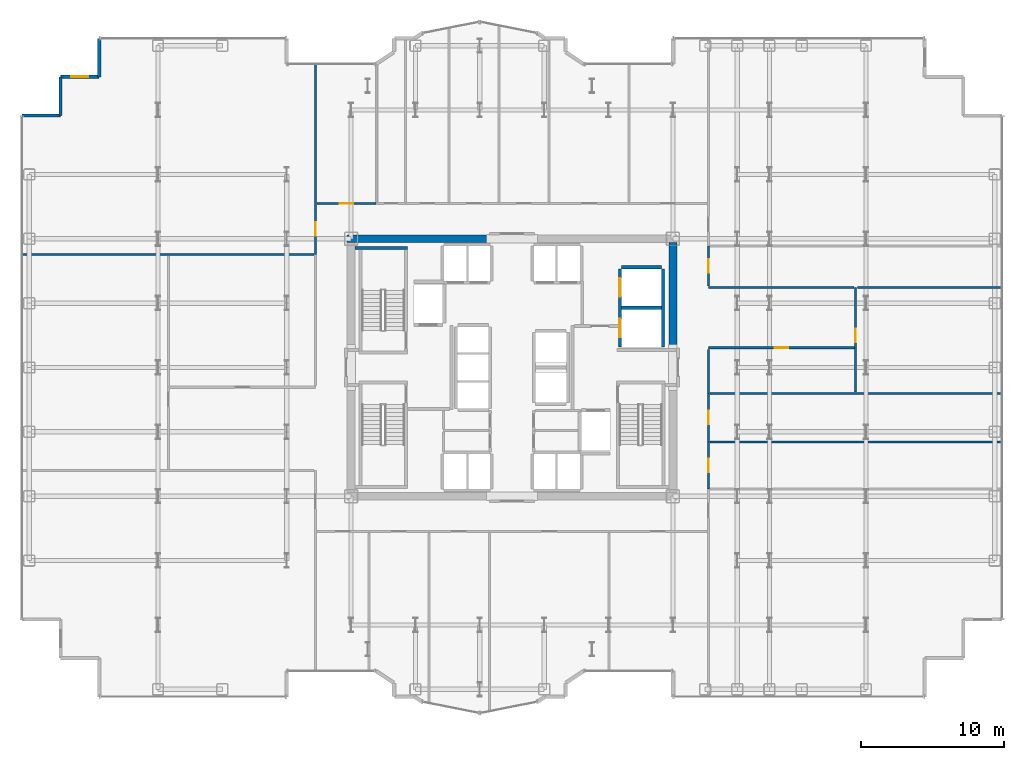
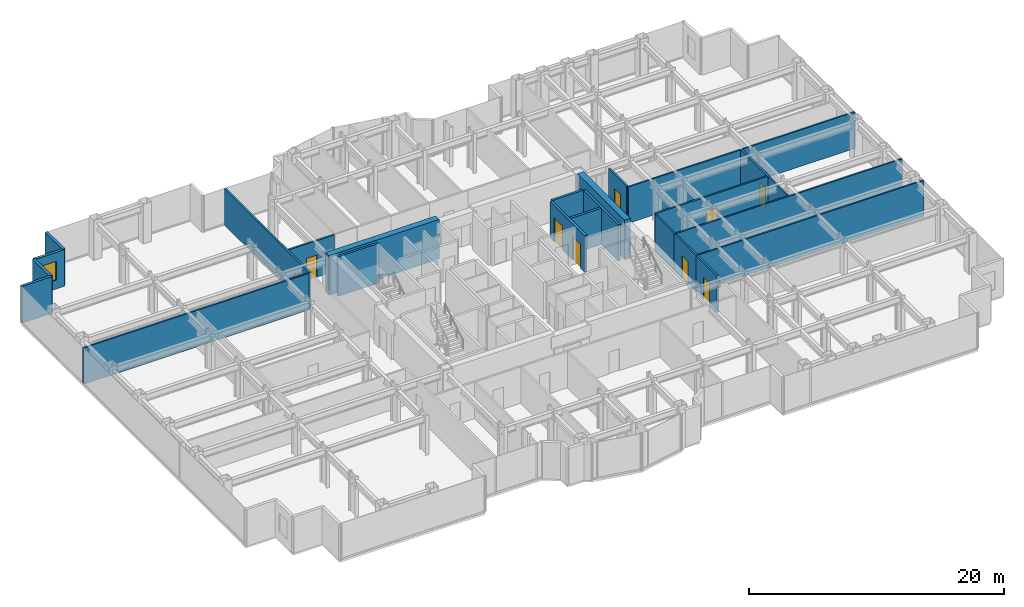
# One storey, part 23 of 26: 24 walls, 9 doors, 1 window, 10 openings.
"""IFC4 building model written with IfcOpenShell, lengths in metres."""

from ifc_helpers import new_model, si_unit, direction, frame, frame_2d, origin, place, context, subcontext, project, spatial, rectangle, extrude, source, transform, mapped, material, layer, layer_set, type_object, element, fill, save


model = new_model("IFC4")

# Units and contexts
model_context = context("Model", 3, precision=1e-05, world=origin(), true_north=direction((0.0, 1.0)))
body_context = subcontext(model_context, "Body", "Model", "MODEL_VIEW")
ifc_project = project(units=[si_unit("LENGTHUNIT", "METRE"), si_unit("AREAUNIT", "SQUARE_METRE"), si_unit("VOLUMEUNIT", "CUBIC_METRE"), si_unit("PLANEANGLEUNIT", "RADIAN"), si_unit("MASSUNIT", "GRAM", prefix="KILO")], contexts=[model_context])

# Site, building, storey
site_placement = place(None, origin())
site = spatial("IfcSite", under=ifc_project, at=site_placement, CompositionType="ELEMENT")
building_placement = place(site_placement, origin())
building = spatial("IfcBuilding", under=site, at=building_placement, Name="Nefas-Gora Pilgrimage Tower", CompositionType="ELEMENT")
storey_placement = place(building_placement, frame((0.0, 0.0, 140.199951171875)))
storey = spatial("IfcBuildingStorey", under=building, at=storey_placement, Name="L34", CompositionType="ELEMENT", Elevation=140.199951171875)

# Walls
ifc_material_1 = material(Name="Concrete C60/75", Category="concrete")
ifc_layer_1 = layer(ifc_material_1, 0.550048828125)
ifc_layer_set_1 = layer_set([ifc_layer_1], Name="Concrete C60/75")
wall_type_1 = type_object("IfcWallType", Name="SW-CORE-550", PredefinedType="SHEAR", material=ifc_layer_set_1)
shared_shape_1 = source(origin(), body_context, "Body", "SweptSolid", [
    extrude(rectangle(XDim=9.974853515625, YDim=0.550048828125, at=frame_2d((4.9873046875, 0.0))), origin(), (0.0, 0.0, 1.0), 3.800048828125),
])
wall_1_placement = place(storey_placement, frame((-11.52490234375, 9.0, 0.0), z_axis=(0.0, 0.0, 1.0), x_axis=(1.0, 0.0, 0.0)))
element("IfcWall", 1, at=wall_1_placement, inside=storey, type_object=wall_type_1, Name="L34 Core Shear Wall N-West", PredefinedType="SHEAR", context=body_context, shape_type="MappedRepresentation", body=[
    mapped(shared_shape_1, transform((0.0, 0.0, 0.0), x_axis=(1.0, 0.0, 0.0), y_axis=(0.0, 1.0, 0.0), z_axis=(0.0, 0.0, 1.0), scale=1.0)),
])
shared_shape_2 = source(origin(), body_context, "Body", "SweptSolid", [
    extrude(rectangle(XDim=7.375, YDim=0.550048828125, at=frame_2d((3.6875, 0.0))), origin(), (0.0, 0.0, 1.0), 3.800048828125),
])
wall_2_placement = place(storey_placement, frame((11.25, 1.35009765625, 0.0), z_axis=(0.0, 0.0, 1.0), x_axis=(0.0, 1.0, 0.0)))
element("IfcWall", 2, at=wall_2_placement, inside=storey, type_object=wall_type_1, Name="L34 Core Shear Wall E-North", PredefinedType="SHEAR", context=body_context, shape_type="MappedRepresentation", body=[
    mapped(shared_shape_2, transform((0.0, 0.0, 0.0), x_axis=(1.0, 0.0, 0.0), y_axis=(0.0, 1.0, 0.0), z_axis=(0.0, 0.0, 1.0), scale=1.0)),
])
ifc_material_2 = material(Name="Precast concrete C45/55", Category="concrete")
ifc_layer_2 = layer(ifc_material_2, 0.239990234375)
ifc_layer_set_2 = layer_set([ifc_layer_2], Name="Precast concrete C45/55")
wall_type_2 = type_object("IfcWallType", Name="EW-SERR-240", PredefinedType="SHEAR", material=ifc_layer_set_2)
shared_shape_3 = source(origin(), body_context, "Body", "SweptSolid", [
    extrude(rectangle(XDim=2.699951171875, YDim=0.239990234375, at=frame_2d((1.35009765625, 0.0))), origin(), (0.0, 0.0, 1.0), 3.5),
])
wall_3_placement = place(storey_placement, frame((-28.8701171875, 23.02001953125, 0.0), z_axis=(0.0, 0.0, 1.0), x_axis=(0.0, -1.0, 0.0)))
element("IfcWall", 3, at=wall_3_placement, inside=storey, type_object=wall_type_2, Name="L34 Serrated Corner Shear Pier Wall 20", PredefinedType="SHEAR", context=body_context, shape_type="MappedRepresentation", body=[
    mapped(shared_shape_3, transform((0.0, 0.0, 0.0), x_axis=(1.0, 0.0, 0.0), y_axis=(0.0, 1.0, 0.0), z_axis=(0.0, 0.0, 1.0), scale=1.0)),
])

# Wall, opening, window
wall_4_placement = place(storey_placement, frame((-28.8701171875, 20.320068359375, 0.0), z_axis=(0.0, 0.0, 1.0), x_axis=(-1.0, 0.0, 0.0)))
wall_4 = element("IfcWall", 4, at=wall_4_placement, inside=storey, type_object=wall_type_2, Name="L34 Serrated Corner Shear Pier Wall 21", PredefinedType="SHEAR", context=body_context, shape_type="MappedRepresentation", body=[
    mapped(shared_shape_3, transform((0.0, 0.0, 0.0), x_axis=(1.0, 0.0, 0.0), y_axis=(0.0, 1.0, 0.0), z_axis=(0.0, 0.0, 1.0), scale=1.0)),
])
opening_1_placement = place(wall_4_placement, frame((0.75, 0.0, 0.85009765625)))
opening_1 = element("IfcOpeningElement", 5, at=opening_1_placement, cuts=wall_4, Name="Opening W-V1", PredefinedType="OPENING", context=body_context, shape_type="SweptSolid", body=[
    extrude(rectangle(XDim=1.199951171875, YDim=1.800048828125, at=frame_2d((0.60009765625, 0.89990234375))), frame((0.0, 0.1298828125, 0.0), z_axis=(0.0, -1.0, 0.0), x_axis=(1.0, 0.0, 0.0)), (0.0, 0.0, 1.0), 0.260009765625),
])
ifc_material_3 = material(Name="Dark ceramic-fritted operable aluminium-glass window", Category="aluminium")
window_type = type_object("IfcWindowType", Name="WIN-VENT-1200x1800", PartitioningType="SINGLE_PANEL", PredefinedType="WINDOW", material=ifc_material_3)
shared_shape_4 = source(origin(), body_context, "Body", "SweptSolid", [
    extrude(rectangle(XDim=1.199951171875, YDim=1.800048828125, at=frame_2d((0.60009765625, 0.89990234375))), frame((0.0, 0.030029296875, 0.0), z_axis=(0.0, -1.0, 0.0), x_axis=(1.0, 0.0, 0.0)), (0.0, 0.0, 1.0), 0.06005859375),
])
window_placement = place(opening_1_placement, origin())
window = element("IfcWindow", 6, at=window_placement, inside=storey, type_object=window_type, Name="L34 Operable Parallel-Outswing Window 21", OverallHeight=1.800048828125, OverallWidth=1.199951171875, PartitioningType="SINGLE_PANEL", PredefinedType="WINDOW", context=body_context, shape_type="MappedRepresentation", body=[
    mapped(shared_shape_4, transform((0.0, 0.0, 0.0), x_axis=(1.0, 0.0, 0.0), y_axis=(0.0, 1.0, 0.0), z_axis=(0.0, 0.0, 1.0), scale=1.0)),
])
fill(opening_1, window)

# Walls
for number, where, z_axis, x_axis, name in (
    (7, (-31.570068359375, 20.320068359375, 0.0), (0.0, 0.0, 1.0), (0.0, -1.0, 0.0), "L34 Serrated Corner Shear Pier Wall 22"),
    (8, (-31.570068359375, 17.6201171875, 0.0), (0.0, 0.0, 1.0), (-1.0, 0.0, 0.0), "L34 Serrated Corner Shear Pier Wall 23"),
):
    element("IfcWall", number, at=place(storey_placement, frame(where, z_axis=z_axis, x_axis=x_axis)), inside=storey, type_object=wall_type_2, Name=name, PredefinedType="SHEAR", context=body_context, shape_type="MappedRepresentation", body=[
        mapped(shared_shape_3, transform((0.0, 0.0, 0.0), x_axis=(1.0, 0.0, 0.0), y_axis=(0.0, 1.0, 0.0), z_axis=(0.0, 0.0, 1.0), scale=1.0)),
    ])
ifc_material_4 = material(Name="Concrete C45/55", Category="concrete")
ifc_layer_3 = layer(ifc_material_4, 0.199951171875)
ifc_layer_set_3 = layer_set([ifc_layer_3], Name="Concrete C45/55")
wall_type_3 = type_object("IfcWallType", Name="IW-STAIR-200", PredefinedType="SOLIDWALL", material=ifc_layer_set_3)
shared_shape_5 = source(origin(), body_context, "Body", "SweptSolid", [
    extrude(rectangle(XDim=3.679931640625, YDim=0.199951171875, at=frame_2d((1.83984375, 0.0))), origin(), (0.0, 0.0, 1.0), 3.800048828125),
])
wall_5_placement = place(storey_placement, frame((-7.300048828125, 8.35009765625, 0.0), z_axis=(0.0, 0.0, 1.0), x_axis=(-1.0, 0.0, 0.0)))
element("IfcWall", 9, at=wall_5_placement, inside=storey, type_object=wall_type_3, Name="L34 Stairwell Shear Wall ST-01-far", PredefinedType="SOLIDWALL", context=body_context, shape_type="MappedRepresentation", body=[
    mapped(shared_shape_5, transform((0.0, 0.0, 0.0), x_axis=(1.0, 0.0, 0.0), y_axis=(0.0, 1.0, 0.0), z_axis=(0.0, 0.0, 1.0), scale=1.0)),
])

# Wall, openings, doors
ifc_material_5 = material(Name="Concrete C40/50", Category="concrete")
ifc_layer_4 = layer(ifc_material_5, 0.219970703125)
ifc_layer_set_4 = layer_set([ifc_layer_4], Name="Concrete C40/50")
wall_type_4 = type_object("IfcWallType", Name="IW-SHAFT-220", PredefinedType="SOLIDWALL", material=ifc_layer_set_4)
shared_shape_6 = source(origin(), body_context, "Body", "SweptSolid", [
    extrude(rectangle(XDim=5.449951171875, YDim=0.219970703125, at=frame_2d((2.72509765625, 0.0))), origin(), (0.0, 0.0, 1.0), 3.485107421875),
])
wall_6_placement = place(storey_placement, frame((7.5400390625, 6.89990234375, 0.0), z_axis=(0.0, 0.0, 1.0), x_axis=(0.0, -1.0, 0.0)))
wall_6 = element("IfcWall", 10, at=wall_6_placement, inside=storey, type_object=wall_type_4, Name="L34 Hoistway Wall SL-01-02-W", PredefinedType="SOLIDWALL", context=body_context, shape_type="MappedRepresentation", body=[
    mapped(shared_shape_6, transform((0.0, 0.0, 0.0), x_axis=(1.0, 0.0, 0.0), y_axis=(0.0, 1.0, 0.0), z_axis=(0.0, 0.0, 1.0), scale=1.0)),
])
opening_2_placement = place(wall_6_placement, frame((3.5, 0.0, 0.0)))
opening_2 = element("IfcOpeningElement", 11, at=opening_2_placement, cuts=wall_6, Name="Opening LD-SV", PredefinedType="OPENING", context=body_context, shape_type="SweptSolid", body=[
    extrude(rectangle(XDim=1.300048828125, YDim=2.300048828125, at=frame_2d((0.64990234375, 1.14990234375))), frame((0.0, 0.119873046875, 0.0), z_axis=(0.0, -1.0, 0.0), x_axis=(1.0, 0.0, 0.0)), (0.0, 0.0, 1.0), 0.239990234375),
])
opening_3_placement = place(wall_6_placement, frame((0.64990234375, 0.0, 0.0)))
opening_3 = element("IfcOpeningElement", 12, at=opening_3_placement, cuts=wall_6, Name="Opening LD-SV", PredefinedType="OPENING", context=body_context, shape_type="SweptSolid", body=[
    extrude(rectangle(XDim=1.300048828125, YDim=2.300048828125, at=frame_2d((0.64990234375, 1.14990234375))), frame((0.0, 0.119873046875, 0.0), z_axis=(0.0, -1.0, 0.0), x_axis=(1.0, 0.0, 0.0)), (0.0, 0.0, 1.0), 0.239990234375),
])
ifc_material_6 = material(Name="Heavy goods sliding lift landing door")
door_type_1 = type_object("IfcDoorType", Name="DR-LIFT-SERV-1300", OperationType="SLIDING_TO_RIGHT", PredefinedType="DOOR", material=ifc_material_6)
shared_shape_7 = source(origin(), body_context, "Body", "SweptSolid", [
    extrude(rectangle(XDim=1.300048828125, YDim=2.300048828125, at=frame_2d((0.64990234375, 1.14990234375))), frame((0.0, 0.02490234375, 0.0), z_axis=(0.0, -1.0, 0.0), x_axis=(1.0, 0.0, 0.0)), (0.0, 0.0, 1.0), 0.050048828125),
])
door_1_placement = place(opening_2_placement, origin())
door_1 = element("IfcDoor", 13, at=door_1_placement, inside=storey, type_object=door_type_1, Name="L34 Sliding Lift Landing Door SL-01", OperationType="SLIDING_TO_RIGHT", OverallHeight=2.300048828125, OverallWidth=1.300048828125, PredefinedType="DOOR", context=body_context, shape_type="MappedRepresentation", body=[
    mapped(shared_shape_7, transform((0.0, 0.0, 0.0), x_axis=(1.0, 0.0, 0.0), y_axis=(0.0, 1.0, 0.0), z_axis=(0.0, 0.0, 1.0), scale=1.0)),
])
fill(opening_2, door_1)
door_2_placement = place(opening_3_placement, origin())
door_2 = element("IfcDoor", 14, at=door_2_placement, inside=storey, type_object=door_type_1, Name="L34 Sliding Lift Landing Door SL-02", OperationType="SLIDING_TO_RIGHT", OverallHeight=2.300048828125, OverallWidth=1.300048828125, PredefinedType="DOOR", context=body_context, shape_type="MappedRepresentation", body=[
    mapped(shared_shape_7, transform((0.0, 0.0, 0.0), x_axis=(1.0, 0.0, 0.0), y_axis=(0.0, 1.0, 0.0), z_axis=(0.0, 0.0, 1.0), scale=1.0)),
])
fill(opening_3, door_2)

# Walls
wall_7_placement = place(storey_placement, frame((10.56005859375, 1.449951171875, 0.0), z_axis=(0.0, 0.0, 1.0), x_axis=(0.0, 1.0, 0.0)))
element("IfcWall", 15, at=wall_7_placement, inside=storey, type_object=wall_type_4, Name="L34 Hoistway Wall SL-01-02-E", PredefinedType="SOLIDWALL", context=body_context, shape_type="MappedRepresentation", body=[
    mapped(shared_shape_6, transform((0.0, 0.0, 0.0), x_axis=(1.0, 0.0, 0.0), y_axis=(0.0, 1.0, 0.0), z_axis=(0.0, 0.0, 1.0), scale=1.0)),
])
shared_shape_8 = source(origin(), body_context, "Body", "SweptSolid", [
    extrude(rectangle(XDim=2.780029296875, YDim=0.219970703125, at=frame_2d((1.39013671875, 0.0))), origin(), (0.0, 0.0, 1.0), 3.485107421875),
])
for number, where, z_axis, x_axis, name in (
    (16, (7.659912109375, 4.175048828125, 0.0), (0.0, 0.0, 1.0), (1.0, 0.0, 0.0), "L34 Hoistway Wall SL-01-02-DIV"),
    (17, (10.43994140625, 7.010009765625, 0.0), (0.0, 0.0, 1.0), (-1.0, 0.0, 0.0), "L34 Hoistway Wall SL-02-N"),
):
    element("IfcWall", number, at=place(storey_placement, frame(where, z_axis=z_axis, x_axis=x_axis)), inside=storey, type_object=wall_type_4, Name=name, PredefinedType="SOLIDWALL", context=body_context, shape_type="MappedRepresentation", body=[
        mapped(shared_shape_8, transform((0.0, 0.0, 0.0), x_axis=(1.0, 0.0, 0.0), y_axis=(0.0, 1.0, 0.0), z_axis=(0.0, 0.0, 1.0), scale=1.0)),
    ])
ifc_material_7 = material(Name="Gypsum twin-stud partition")
ifc_layer_5 = layer(ifc_material_7, 0.139892578125)
ifc_layer_set_5 = layer_set([ifc_layer_5], Name="Gypsum twin-stud partition")
wall_type_5 = type_object("IfcWallType", Name="IW-UNIT-140", PredefinedType="PARTITIONING", material=ifc_layer_set_5)
shared_shape_9 = source(origin(), body_context, "Body", "SweptSolid", [
    extrude(rectangle(XDim=20.429931640625, YDim=0.139892578125, at=frame_2d((10.21484375, 0.0))), origin(), (0.0, 0.0, 1.0), 3.485107421875),
])
for number, where, z_axis, x_axis, name in (
    (18, (-34.2900390625, 7.8974609375, 0.0), (0.0, 0.0, 1.0), (1.0, 0.0, 0.0), "L34 Pilgrim Devotional Prayer Gallery Partition Wall 31"),
    (19, (13.860107421875, -5.205078125, 0.0), (0.0, 0.0, 1.0), (1.0, 0.0, 0.0), "L34 Pilgrim Tea and Beverage Pantry Partition Wall 38"),
    (20, (13.860107421875, -1.804931640625, 0.0), (0.0, 0.0, 1.0), (1.0, 0.0, 0.0), "L34 Pilgrim Tea and Beverage Pantry Partition Wall 40"),
):
    element("IfcWall", number, at=place(storey_placement, frame(where, z_axis=z_axis, x_axis=x_axis)), inside=storey, type_object=wall_type_5, Name=name, PredefinedType="PARTITIONING", context=body_context, shape_type="MappedRepresentation", body=[
        mapped(shared_shape_9, transform((0.0, 0.0, 0.0), x_axis=(1.0, 0.0, 0.0), y_axis=(0.0, 1.0, 0.0), z_axis=(0.0, 0.0, 1.0), scale=1.0)),
    ])

# Wall, opening, door
ifc_material_8 = material(Name="Gypsum acoustic stud partition")
ifc_layer_6 = layer(ifc_material_8, 0.159912109375)
ifc_layer_set_6 = layer_set([ifc_layer_6], Name="Gypsum acoustic stud partition")
wall_type_6 = type_object("IfcWallType", Name="IW-CORR-160", PredefinedType="PARTITIONING", material=ifc_layer_set_6)
shared_shape_10 = source(origin(), body_context, "Body", "SweptSolid", [
    extrude(rectangle(XDim=10.25, YDim=0.159912109375, at=frame_2d((5.125, 0.0))), origin(), (0.0, 0.0, 1.0), 3.485107421875),
])
wall_8_placement = place(storey_placement, frame((13.72998046875, 1.3798828125, 0.0), z_axis=(0.0, 0.0, 1.0), x_axis=(1.0, 0.0, 0.0)))
wall_8 = element("IfcWall", 21, at=wall_8_placement, inside=storey, type_object=wall_type_6, Name="L34 Pilgrim Fellowship Seminar Room Partition Wall 41", PredefinedType="PARTITIONING", context=body_context, shape_type="MappedRepresentation", body=[
    mapped(shared_shape_10, transform((0.0, 0.0, 0.0), x_axis=(1.0, 0.0, 0.0), y_axis=(0.0, 1.0, 0.0), z_axis=(0.0, 0.0, 1.0), scale=1.0)),
])
opening_4_placement = place(wall_8_placement, frame((4.64990234375, 0.0, 0.0)))
opening_4 = element("IfcOpeningElement", 22, at=opening_4_placement, cuts=wall_8, Name="Opening ID-GR1", PredefinedType="OPENING", context=body_context, shape_type="SweptSolid", body=[
    extrude(rectangle(XDim=0.949951171875, YDim=2.10009765625, at=frame_2d((0.47509765625, 1.050048828125))), frame((0.0, 0.08984375, 0.0), z_axis=(0.0, -1.0, 0.0), x_axis=(1.0, 0.0, 0.0)), (0.0, 0.0, 1.0), 0.179931640625),
])
ifc_material_9 = material(Name="Solid core oak fire-rated guest entrance door")
door_type_2 = type_object("IfcDoorType", Name="DR-INT-GUEST-950", OperationType="NOTDEFINED", PredefinedType="DOOR", material=ifc_material_9)
shared_shape_11 = source(origin(), body_context, "Body", "SweptSolid", [
    extrude(rectangle(XDim=0.949951171875, YDim=2.10009765625, at=frame_2d((0.47509765625, 1.050048828125))), frame((0.0, 0.02490234375, 0.0), z_axis=(0.0, -1.0, 0.0), x_axis=(1.0, 0.0, 0.0)), (0.0, 0.0, 1.0), 0.050048828125),
])
door_3_placement = place(opening_4_placement, origin())
door_3 = element("IfcDoor", 23, at=door_3_placement, inside=storey, type_object=door_type_2, Name="L34 Pilgrim Fellowship Seminar Room Door 18", OperationType="SINGLE_SWING_RIGHT", OverallHeight=2.10009765625, OverallWidth=0.949951171875, PredefinedType="DOOR", context=body_context, shape_type="MappedRepresentation", body=[
    mapped(shared_shape_11, transform((0.0, 0.0, 0.0), x_axis=(1.0, 0.0, 0.0), y_axis=(0.0, 1.0, 0.0), z_axis=(0.0, 0.0, 1.0), scale=1.0)),
])
fill(opening_4, door_3)

# Walls
shared_shape_12 = source(origin(), body_context, "Body", "SweptSolid", [
    extrude(rectangle(XDim=10.169921875, YDim=0.139892578125, at=frame_2d((5.0849609375, 0.0))), origin(), (0.0, 0.0, 1.0), 3.485107421875),
])
wall_9_placement = place(storey_placement, frame((13.72998046875, 5.594970703125, 0.0), z_axis=(0.0, 0.0, 1.0), x_axis=(1.0, 0.0, 0.0)))
element("IfcWall", 24, at=wall_9_placement, inside=storey, type_object=wall_type_5, Name="L34 Pilgrim Contemplative Lounge Partition Wall 44", PredefinedType="PARTITIONING", context=body_context, shape_type="MappedRepresentation", body=[
    mapped(shared_shape_12, transform((0.0, 0.0, 0.0), x_axis=(1.0, 0.0, 0.0), y_axis=(0.0, 1.0, 0.0), z_axis=(0.0, 0.0, 1.0), scale=1.0)),
])
shared_shape_13 = source(origin(), body_context, "Body", "SweptSolid", [
    extrude(rectangle(XDim=10.150146484375, YDim=0.139892578125, at=frame_2d((5.0751953125, 0.0))), origin(), (0.0, 0.0, 1.0), 3.485107421875),
])
wall_10_placement = place(storey_placement, frame((24.139892578125, 5.594970703125, 0.0), z_axis=(0.0, 0.0, 1.0), x_axis=(1.0, 0.0, 0.0)))
element("IfcWall", 25, at=wall_10_placement, inside=storey, type_object=wall_type_5, Name="L34 Pilgrim Contemplative Lounge Partition Wall 45", PredefinedType="PARTITIONING", context=body_context, shape_type="MappedRepresentation", body=[
    mapped(shared_shape_13, transform((0.0, 0.0, 0.0), x_axis=(1.0, 0.0, 0.0), y_axis=(0.0, 1.0, 0.0), z_axis=(0.0, 0.0, 1.0), scale=1.0)),
])

# Wall, opening, door
shared_shape_14 = source(origin(), body_context, "Body", "SweptSolid", [
    extrude(rectangle(XDim=4.125, YDim=0.159912109375, at=frame_2d((2.0625, 0.0))), origin(), (0.0, 0.0, 1.0), 3.485107421875),
])
wall_11_placement = place(storey_placement, frame((-13.6201171875, 11.469970703125, 0.0), z_axis=(0.0, 0.0, 1.0), x_axis=(1.0, 0.0, 0.0)))
wall_11 = element("IfcWall", 26, at=wall_11_placement, inside=storey, type_object=wall_type_6, Name="L34 Pilgrim Contemplative Lounge Partition Wall 49", PredefinedType="PARTITIONING", context=body_context, shape_type="MappedRepresentation", body=[
    mapped(shared_shape_14, transform((0.0, 0.0, 0.0), x_axis=(1.0, 0.0, 0.0), y_axis=(0.0, 1.0, 0.0), z_axis=(0.0, 0.0, 1.0), scale=1.0)),
])
opening_5_placement = place(wall_11_placement, frame((1.58740234375, 0.0, 0.0)))
opening_5 = element("IfcOpeningElement", 27, at=opening_5_placement, cuts=wall_11, Name="Opening ID-GR1", PredefinedType="OPENING", context=body_context, shape_type="SweptSolid", body=[
    extrude(rectangle(XDim=0.949951171875, YDim=2.10009765625, at=frame_2d((0.47509765625, 1.050048828125))), frame((0.0, 0.08984375, 0.0), z_axis=(0.0, -1.0, 0.0), x_axis=(1.0, 0.0, 0.0)), (0.0, 0.0, 1.0), 0.179931640625),
])
door_4_placement = place(opening_5_placement, origin())
door_4 = element("IfcDoor", 28, at=door_4_placement, inside=storey, type_object=door_type_2, Name="L34 Pilgrim Contemplative Lounge Door 22", OperationType="SINGLE_SWING_RIGHT", OverallHeight=2.10009765625, OverallWidth=0.949951171875, PredefinedType="DOOR", context=body_context, shape_type="MappedRepresentation", body=[
    mapped(shared_shape_11, transform((0.0, 0.0, 0.0), x_axis=(1.0, 0.0, 0.0), y_axis=(0.0, 1.0, 0.0), z_axis=(0.0, 0.0, 1.0), scale=1.0)),
])
fill(opening_5, door_4)

shared_shape_15 = source(origin(), body_context, "Body", "SweptSolid", [
    extrude(rectangle(XDim=13.3525390625, YDim=0.159912109375, at=frame_2d((6.67626953125, 0.0))), origin(), (0.0, 0.0, 1.0), 3.485107421875),
])
wall_12_placement = place(storey_placement, frame((-13.739990234375, 7.887451171875, 0.0), z_axis=(0.0, 0.0, 1.0), x_axis=(0.0, 1.0, 0.0)))
wall_12 = element("IfcWall", 29, at=wall_12_placement, inside=storey, type_object=wall_type_6, Name="L34 Pilgrim Devotional Prayer Gallery Partition Wall 30", PredefinedType="PARTITIONING", context=body_context, shape_type="MappedRepresentation", body=[
    mapped(shared_shape_15, transform((0.0, 0.0, 0.0), x_axis=(1.0, 0.0, 0.0), y_axis=(0.0, 1.0, 0.0), z_axis=(0.0, 0.0, 1.0), scale=1.0)),
])
opening_6_placement = place(wall_12_placement, frame((1.336181640625, 0.0, 0.0)))
opening_6 = element("IfcOpeningElement", 30, at=opening_6_placement, cuts=wall_12, Name="Opening ID-GR1", PredefinedType="OPENING", context=body_context, shape_type="SweptSolid", body=[
    extrude(rectangle(XDim=0.949951171875, YDim=2.10009765625, at=frame_2d((0.47509765625, 1.050048828125))), frame((0.0, 0.08984375, 0.0), z_axis=(0.0, -1.0, 0.0), x_axis=(1.0, 0.0, 0.0)), (0.0, 0.0, 1.0), 0.179931640625),
])
door_5_placement = place(opening_6_placement, origin())
door_5 = element("IfcDoor", 31, at=door_5_placement, inside=storey, type_object=door_type_2, Name="L34 Pilgrim Devotional Prayer Gallery Door 12", OperationType="SINGLE_SWING_RIGHT", OverallHeight=2.10009765625, OverallWidth=0.949951171875, PredefinedType="DOOR", context=body_context, shape_type="MappedRepresentation", body=[
    mapped(shared_shape_11, transform((0.0, 0.0, 0.0), x_axis=(1.0, 0.0, 0.0), y_axis=(0.0, 1.0, 0.0), z_axis=(0.0, 0.0, 1.0), scale=1.0)),
])
fill(opening_6, door_5)

shared_shape_16 = source(origin(), body_context, "Body", "SweptSolid", [
    extrude(rectangle(XDim=3.309814453125, YDim=0.159912109375, at=frame_2d((1.65478515625, 0.0))), origin(), (0.0, 0.0, 1.0), 3.485107421875),
])
wall_13_placement = place(storey_placement, frame((13.739990234375, -8.5048828125, 0.0), z_axis=(0.0, 0.0, 1.0), x_axis=(0.0, 1.0, 0.0)))
wall_13 = element("IfcWall", 32, at=wall_13_placement, inside=storey, type_object=wall_type_6, Name="L34 Pilgrim Tea and Beverage Pantry Partition Wall 37", PredefinedType="PARTITIONING", context=body_context, shape_type="MappedRepresentation", body=[
    mapped(shared_shape_16, transform((0.0, 0.0, 0.0), x_axis=(1.0, 0.0, 0.0), y_axis=(0.0, 1.0, 0.0), z_axis=(0.0, 0.0, 1.0), scale=1.0)),
])
opening_7_placement = place(wall_13_placement, frame((1.179931640625, 0.0, 0.0)))
opening_7 = element("IfcOpeningElement", 33, at=opening_7_placement, cuts=wall_13, Name="Opening ID-GR1", PredefinedType="OPENING", context=body_context, shape_type="SweptSolid", body=[
    extrude(rectangle(XDim=0.949951171875, YDim=2.10009765625, at=frame_2d((0.47509765625, 1.050048828125))), frame((0.0, 0.08984375, 0.0), z_axis=(0.0, -1.0, 0.0), x_axis=(1.0, 0.0, 0.0)), (0.0, 0.0, 1.0), 0.179931640625),
])
door_6_placement = place(opening_7_placement, origin())
door_6 = element("IfcDoor", 34, at=door_6_placement, inside=storey, type_object=door_type_2, Name="L34 Pilgrim Tea and Beverage Pantry Door 16", OperationType="SINGLE_SWING_RIGHT", OverallHeight=2.10009765625, OverallWidth=0.949951171875, PredefinedType="DOOR", context=body_context, shape_type="MappedRepresentation", body=[
    mapped(shared_shape_11, transform((0.0, 0.0, 0.0), x_axis=(1.0, 0.0, 0.0), y_axis=(0.0, 1.0, 0.0), z_axis=(0.0, 0.0, 1.0), scale=1.0)),
])
fill(opening_7, door_6)

shared_shape_17 = source(origin(), body_context, "Body", "SweptSolid", [
    extrude(rectangle(XDim=3.41015625, YDim=0.159912109375, at=frame_2d((1.705078125, 0.0))), origin(), (0.0, 0.0, 1.0), 3.485107421875),
])
wall_14_placement = place(storey_placement, frame((13.739990234375, -5.205078125, 0.0), z_axis=(0.0, 0.0, 1.0), x_axis=(0.0, 1.0, 0.0)))
wall_14 = element("IfcWall", 35, at=wall_14_placement, inside=storey, type_object=wall_type_6, Name="L34 Pilgrim Tea and Beverage Pantry Partition Wall 39", PredefinedType="PARTITIONING", context=body_context, shape_type="MappedRepresentation", body=[
    mapped(shared_shape_17, transform((0.0, 0.0, 0.0), x_axis=(1.0, 0.0, 0.0), y_axis=(0.0, 1.0, 0.0), z_axis=(0.0, 0.0, 1.0), scale=1.0)),
])
opening_8_placement = place(wall_14_placement, frame((1.22998046875, 0.0, 0.0)))
opening_8 = element("IfcOpeningElement", 36, at=opening_8_placement, cuts=wall_14, Name="Opening ID-GR1", PredefinedType="OPENING", context=body_context, shape_type="SweptSolid", body=[
    extrude(rectangle(XDim=0.949951171875, YDim=2.10009765625, at=frame_2d((0.47509765625, 1.050048828125))), frame((0.0, 0.08984375, 0.0), z_axis=(0.0, -1.0, 0.0), x_axis=(1.0, 0.0, 0.0)), (0.0, 0.0, 1.0), 0.179931640625),
])
door_7_placement = place(opening_8_placement, origin())
door_7 = element("IfcDoor", 37, at=door_7_placement, inside=storey, type_object=door_type_2, Name="L34 Pilgrim Tea and Beverage Pantry Door 17", OperationType="SINGLE_SWING_LEFT", OverallHeight=2.10009765625, OverallWidth=0.949951171875, PredefinedType="DOOR", context=body_context, shape_type="MappedRepresentation", body=[
    mapped(shared_shape_11, transform((0.0, 0.0, 0.0), x_axis=(1.0, 0.0, 0.0), y_axis=(0.0, 1.0, 0.0), z_axis=(0.0, 0.0, 1.0), scale=1.0)),
])
fill(opening_8, door_7)

# Wall
shared_shape_18 = source(origin(), body_context, "Body", "SweptSolid", [
    extrude(rectangle(XDim=3.06494140625, YDim=0.139892578125, at=frame_2d((1.532470703125, 0.0))), origin(), (0.0, 0.0, 1.0), 3.485107421875),
])
wall_15_placement = place(storey_placement, frame((13.739990234375, -1.804931640625, 0.0), z_axis=(0.0, 0.0, 1.0), x_axis=(0.0, 1.0, 0.0)))
element("IfcWall", 38, at=wall_15_placement, inside=storey, type_object=wall_type_5, Name="L34 Pilgrim Fellowship Seminar Room Partition Wall 42", PredefinedType="PARTITIONING", context=body_context, shape_type="MappedRepresentation", body=[
    mapped(shared_shape_18, transform((0.0, 0.0, 0.0), x_axis=(1.0, 0.0, 0.0), y_axis=(0.0, 1.0, 0.0), z_axis=(0.0, 0.0, 1.0), scale=1.0)),
])

# Wall, opening, door
shared_shape_19 = source(origin(), body_context, "Body", "SweptSolid", [
    extrude(rectangle(XDim=7.300048828125, YDim=0.159912109375, at=frame_2d((3.64990234375, 0.0))), origin(), (0.0, 0.0, 1.0), 3.485107421875),
])
wall_16_placement = place(storey_placement, frame((24.02001953125, -1.695068359375, 0.0), z_axis=(0.0, 0.0, 1.0), x_axis=(0.0, 1.0, 0.0)))
wall_16 = element("IfcWall", 39, at=wall_16_placement, inside=storey, type_object=wall_type_6, Name="L34 Pilgrim Contemplative Lounge Partition Wall 43", PredefinedType="PARTITIONING", context=body_context, shape_type="MappedRepresentation", body=[
    mapped(shared_shape_19, transform((0.0, 0.0, 0.0), x_axis=(1.0, 0.0, 0.0), y_axis=(0.0, 1.0, 0.0), z_axis=(0.0, 0.0, 1.0), scale=1.0)),
])
opening_9_placement = place(wall_16_placement, frame((3.469970703125, 0.0, 0.0)))
opening_9 = element("IfcOpeningElement", 40, at=opening_9_placement, cuts=wall_16, Name="Opening ID-GR1", PredefinedType="OPENING", context=body_context, shape_type="SweptSolid", body=[
    extrude(rectangle(XDim=0.949951171875, YDim=2.10009765625, at=frame_2d((0.47509765625, 1.050048828125))), frame((0.0, 0.08984375, 0.0), z_axis=(0.0, -1.0, 0.0), x_axis=(1.0, 0.0, 0.0)), (0.0, 0.0, 1.0), 0.179931640625),
])
door_8_placement = place(opening_9_placement, origin())
door_8 = element("IfcDoor", 41, at=door_8_placement, inside=storey, type_object=door_type_2, Name="L34 Pilgrim Contemplative Lounge Door 19", OperationType="SINGLE_SWING_LEFT", OverallHeight=2.10009765625, OverallWidth=0.949951171875, PredefinedType="DOOR", context=body_context, shape_type="MappedRepresentation", body=[
    mapped(shared_shape_11, transform((0.0, 0.0, 0.0), x_axis=(1.0, 0.0, 0.0), y_axis=(0.0, 1.0, 0.0), z_axis=(0.0, 0.0, 1.0), scale=1.0)),
])
fill(opening_9, door_8)

shared_shape_20 = source(origin(), body_context, "Body", "SweptSolid", [
    extrude(rectangle(XDim=2.7998046875, YDim=0.159912109375, at=frame_2d((1.39990234375, 0.0))), origin(), (0.0, 0.0, 1.0), 3.485107421875),
])
wall_17_placement = place(storey_placement, frame((13.739990234375, 5.705078125, 0.0), z_axis=(0.0, 0.0, 1.0), x_axis=(0.0, 1.0, 0.0)))
wall_17 = element("IfcWall", 42, at=wall_17_placement, inside=storey, type_object=wall_type_6, Name="L34 Pilgrim Contemplative Lounge Partition Wall 46", PredefinedType="PARTITIONING", context=body_context, shape_type="MappedRepresentation", body=[
    mapped(shared_shape_20, transform((0.0, 0.0, 0.0), x_axis=(1.0, 0.0, 0.0), y_axis=(0.0, 1.0, 0.0), z_axis=(0.0, 0.0, 1.0), scale=1.0)),
])
opening_10_placement = place(wall_17_placement, frame((0.925048828125, 0.0, 0.0)))
opening_10 = element("IfcOpeningElement", 43, at=opening_10_placement, cuts=wall_17, Name="Opening ID-GR1", PredefinedType="OPENING", context=body_context, shape_type="SweptSolid", body=[
    extrude(rectangle(XDim=0.949951171875, YDim=2.10009765625, at=frame_2d((0.47509765625, 1.050048828125))), frame((0.0, 0.08984375, 0.0), z_axis=(0.0, -1.0, 0.0), x_axis=(1.0, 0.0, 0.0)), (0.0, 0.0, 1.0), 0.179931640625),
])
door_9_placement = place(opening_10_placement, origin())
door_9 = element("IfcDoor", 44, at=door_9_placement, inside=storey, type_object=door_type_2, Name="L34 Pilgrim Contemplative Lounge Door 20", OperationType="SINGLE_SWING_RIGHT", OverallHeight=2.10009765625, OverallWidth=0.949951171875, PredefinedType="DOOR", context=body_context, shape_type="MappedRepresentation", body=[
    mapped(shared_shape_11, transform((0.0, 0.0, 0.0), x_axis=(1.0, 0.0, 0.0), y_axis=(0.0, 1.0, 0.0), z_axis=(0.0, 0.0, 1.0), scale=1.0)),
])
fill(opening_10, door_9)

save(model, "model.ifc")
